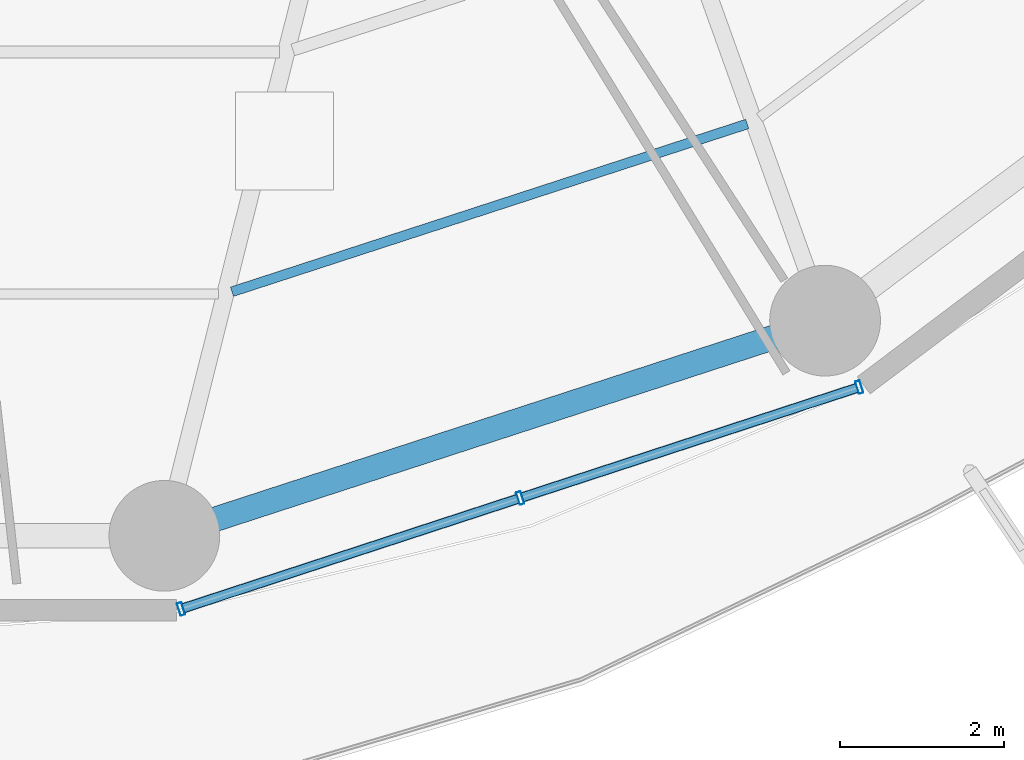
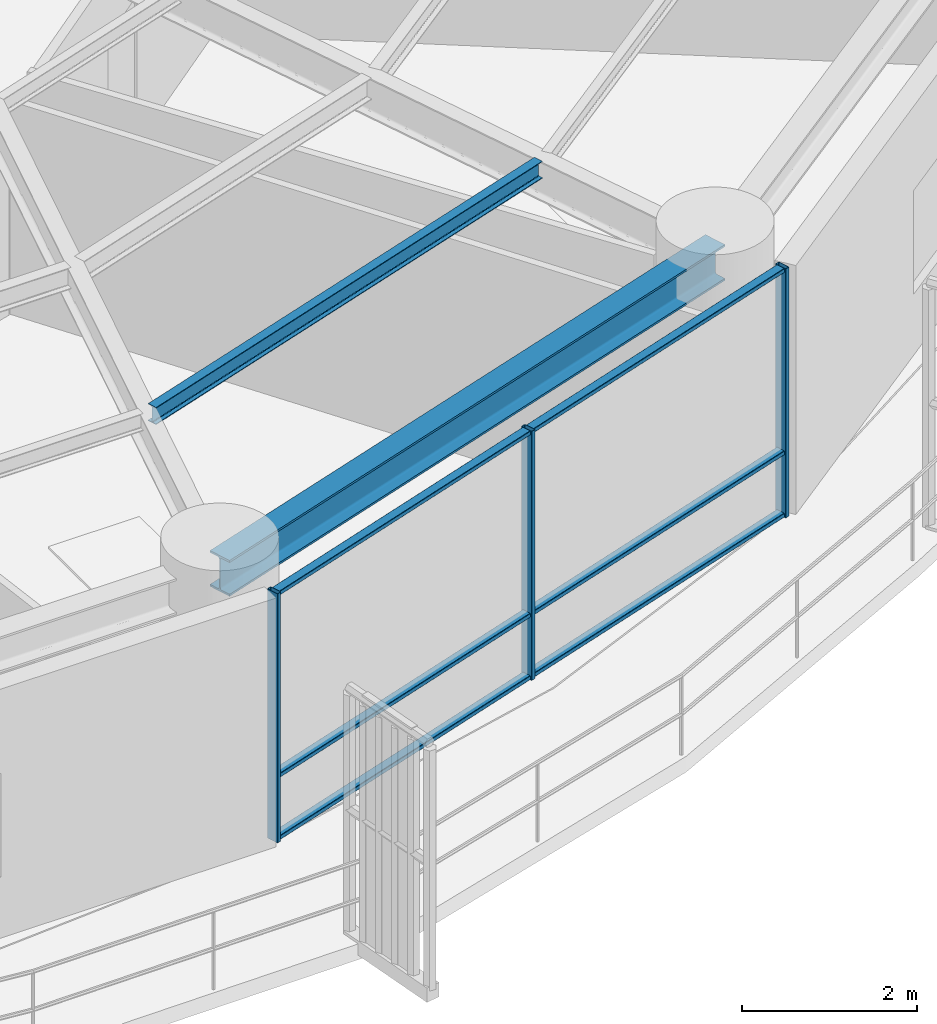
# One storey, part 8 of 34: 9 members, 2 beams, 1 element without a shape of its own.
"""IFC4 building model written with IfcOpenShell, lengths in metres."""

import ifcopenshell
import ifcopenshell.guid

model = None  # the IFC model being written
_history = None  # IfcOwnerHistory: only IFC2X3 demands one
_inside = {}  # id of a spatial element -> (the spatial element, [elements in it])
_under = {}  # id of a project, library or spatial element -> (it, [spatial elements below it])
_declared = {}  # id of a project -> (the project, [libraries it declares])
_typed = {}  # id of a type object -> (the type object, [elements of that type])
_made_of = {}  # id of a material, layer set ... -> (it, [elements and type objects made of it])


def new_model(schema):
    """Start an empty IFC model of exactly this schema.

    Asked for "IFC4X3", IfcOpenShell would pick the latest addendum, in which some entities
    have other attributes; the version numbers below select the first issue.
    IFC2X3 requires an IfcOwnerHistory on every rooted entity: one is made here for all.
    """
    global model, _history
    if schema == "IFC4X3":
        model = ifcopenshell.file(schema_version=(4, 3, 0, 0))
    else:
        model = ifcopenshell.file(schema=schema)
    _inside.clear()
    _under.clear()
    _declared.clear()
    _typed.clear()
    _made_of.clear()
    _history = None
    if model.schema == "IFC2X3":
        org = make("IfcOrganization", Name="unknown")
        user = make(
            "IfcPersonAndOrganization",
            ThePerson=make("IfcPerson", FamilyName="unknown"),
            TheOrganization=org,
        )
        app = make(
            "IfcApplication",
            ApplicationDeveloper=org,
            Version="unknown",
            ApplicationFullName="unknown",
            ApplicationIdentifier="unknown",
        )
        _history = make(
            "IfcOwnerHistory",
            OwningUser=user,
            OwningApplication=app,
            ChangeAction="ADDED",
            CreationDate=0,
        )
    return model


def make(cls, **values):
    """One entity of the class cls with the attributes given. An attribute that is None is left unset."""
    return model.create_entity(
        cls, **{name: value for name, value in values.items() if value is not None}
    )


def rooted(cls, **values):
    """An entity with a GlobalId (a new one), such as an element, a storey or a relation."""
    return make(cls, GlobalId=ifcopenshell.guid.new(), OwnerHistory=_history, **values)


def si_unit(unit_type, name, prefix=None):
    """IfcSIUnit, for example si_unit("LENGTHUNIT", "METRE", prefix="MILLI")."""
    return make("IfcSIUnit", UnitType=unit_type, Prefix=prefix, Name=name)


def assignment(units):
    """IfcUnitAssignment: the units of a project."""
    return None if units is None else make("IfcUnitAssignment", Units=units)


def point(xyz):
    """IfcCartesianPoint."""
    return None if xyz is None else make("IfcCartesianPoint", Coordinates=xyz)


def direction(xyz):
    """IfcDirection."""
    return None if xyz is None else make("IfcDirection", DirectionRatios=xyz)


def frame(location, z_axis=None, x_axis=None):
    """IfcAxis2Placement3D, a coordinate frame: its origin and axes. An axis left out is left unset."""
    return make(
        "IfcAxis2Placement3D",
        Location=point(location),
        Axis=direction(z_axis),
        RefDirection=direction(x_axis),
    )


def frame_2d(location, x_axis=None):
    """IfcAxis2Placement2D, a coordinate frame in the plane: its origin and x axis."""
    return make(
        "IfcAxis2Placement2D", Location=point(location), RefDirection=direction(x_axis)
    )


def origin():
    """The frame at (0, 0, 0) with its axes left unset."""
    return frame((0.0, 0.0, 0.0))


def origin_2d():
    """The frame at (0, 0) in the plane with its x axis left unset."""
    return frame_2d((0.0, 0.0))


def place(relative_to, where):
    """IfcLocalPlacement: puts the frame where relative to a parent placement (None: the world)."""
    return make(
        "IfcLocalPlacement", PlacementRelTo=relative_to, RelativePlacement=where
    )


def context(
    kind, dimensions, precision=None, world=None, true_north=None, identifier=None
):
    """IfcGeometricRepresentationContext, for example the 3D "Model" context."""
    return make(
        "IfcGeometricRepresentationContext",
        ContextIdentifier=identifier,
        ContextType=kind,
        CoordinateSpaceDimension=dimensions,
        Precision=precision,
        WorldCoordinateSystem=world,
        TrueNorth=true_north,
    )


def subcontext(parent, identifier, kind, view, scale=None):
    """IfcGeometricRepresentationSubContext, for example "Body" below "Model"."""
    return make(
        "IfcGeometricRepresentationSubContext",
        ContextIdentifier=identifier,
        ContextType=kind,
        ParentContext=parent,
        TargetScale=scale,
        TargetView=view,
    )


def project(units=None, contexts=None):
    """IfcProject with its units and contexts."""
    return rooted(
        "IfcProject",
        Name="project",
        RepresentationContexts=contexts,
        UnitsInContext=assignment(units),
    )


def spatial(cls, under=None, at=None, **own):
    """A site, building, storey or space (cls), placed at a placement, below another one or the project."""
    s = rooted(cls, ObjectPlacement=at, **own)
    if under is not None:
        _under.setdefault(under.id(), (under, []))[1].append(s)
    return s


def profile(cls, at=None, kind="AREA", **sizes):
    """A parametric profile (cls). Its sizes go by their IFC names, for example OverallWidth=200.0."""
    return make(cls, ProfileType=kind, Position=at, **sizes)


def hollow_rectangle(**sizes):
    """IfcRectangleHollowProfileDef."""
    return profile("IfcRectangleHollowProfileDef", **sizes)


def i_section(**sizes):
    """IfcIShapeProfileDef."""
    return profile("IfcIShapeProfileDef", **sizes)


def extrude(swept, where, along, depth):
    """IfcExtrudedAreaSolid: the profile swept, set in the frame where, extruded along a direction by depth."""
    return make(
        "IfcExtrudedAreaSolid",
        SweptArea=swept,
        Position=where,
        ExtrudedDirection=direction(along),
        Depth=depth,
    )


def shape(context_of_items, identifier, shape_type, items):
    """IfcShapeRepresentation: the items that make up one representation, for example the "Body"."""
    return make(
        "IfcShapeRepresentation",
        ContextOfItems=context_of_items,
        RepresentationIdentifier=identifier,
        RepresentationType=shape_type,
        Items=items,
    )


def material(Name=None, Category=None):
    """IfcMaterial."""
    return make("IfcMaterial", Name=Name, Category=Category)


def layer(
    of_material, thickness, ventilated=None, Name=None, Category=None, Priority=None
):
    """IfcMaterialLayer: one layer of a wall or slab, of a material (None: an air gap)."""
    return make(
        "IfcMaterialLayer",
        Material=of_material,
        LayerThickness=thickness,
        IsVentilated=ventilated,
        Name=Name,
        Category=Category,
        Priority=Priority,
    )


def layer_set(layers, Name=None):
    """IfcMaterialLayerSet."""
    return make("IfcMaterialLayerSet", MaterialLayers=layers, LayerSetName=Name)


def material_profile(
    of_material, cross_section, Name=None, Category=None, Priority=None
):
    """IfcMaterialProfile: a cross section and its material."""
    return make(
        "IfcMaterialProfile",
        Name=Name,
        Material=of_material,
        Profile=cross_section,
        Priority=Priority,
        Category=Category,
    )


def profile_set(profiles, Name=None, composite=None):
    """IfcMaterialProfileSet."""
    return make(
        "IfcMaterialProfileSet",
        Name=Name,
        MaterialProfiles=profiles,
        CompositeProfile=composite,
    )


def made_of(thing, what):
    """Note that an element or type object is made of a material, layer set ...; save() writes the relation."""
    if what is not None:
        _made_of.setdefault(what.id(), (what, []))[1].append(thing)
    return thing


def type_object(cls, material=None, **own):
    """A type object (cls), such as IfcWallType, which elements share."""
    return made_of(rooted(cls, **own), material)


def element(
    cls,
    number,
    at=None,
    inside=None,
    cuts=None,
    type_object=None,
    material=None,
    context=None,
    identifier="Body",
    shape_type=None,
    held_by="IfcProductDefinitionShape",
    body=None,
    shapes=None,
    **own,
):
    """One element of the class cls, such as IfcWall. Its Tag is "e" and its number.

    at: its placement. inside: the storey or other place that contains it. cuts: it is an
    opening in that element (IfcRelVoidsElement). A single representation is given by context,
    identifier, shape_type and body (its items); several are given by shapes. held_by: the class
    of the entity that holds the representations. save() writes the other relations.
    """
    e = rooted(cls, Tag="e%d" % number, ObjectPlacement=at, **own)
    if body is not None:
        shapes = [shape(context, identifier, shape_type, body)]
    if shapes is not None:
        e.Representation = make(held_by, Representations=shapes)
    if inside is not None:
        _inside.setdefault(inside.id(), (inside, []))[1].append(e)
    if cuts is not None:
        rooted(
            "IfcRelVoidsElement", RelatingBuildingElement=cuts, RelatedOpeningElement=e
        )
    if type_object is not None:
        _typed.setdefault(type_object.id(), (type_object, []))[1].append(e)
    return made_of(e, material)


def aggregate(whole, parts):
    """IfcRelAggregates: a whole, such as a stair, and the parts it consists of."""
    return rooted("IfcRelAggregates", RelatingObject=whole, RelatedObjects=parts)


def save(model, path):
    """Write the relations noted so far, then the file.

    IfcRelAggregates (storeys below a building ...), IfcRelContainedInSpatialStructure (elements
    in a storey), IfcRelDefinesByType, IfcRelAssociatesMaterial and IfcRelDeclares: one each for
    every whole, place, type object, material and project.
    """
    for whole, parts in _under.values():
        aggregate(whole, parts)
    for where, things in _inside.values():
        rooted(
            "IfcRelContainedInSpatialStructure",
            RelatedElements=things,
            RelatingStructure=where,
        )
    for kind, things in _typed.values():
        rooted("IfcRelDefinesByType", RelatedObjects=things, RelatingType=kind)
    for what, things in _made_of.values():
        rooted("IfcRelAssociatesMaterial", RelatedObjects=things, RelatingMaterial=what)
    for by, libraries in _declared.values():
        rooted("IfcRelDeclares", RelatingContext=by, RelatedDefinitions=libraries)
    model.write(path)


model = new_model("IFC4")

# Units and contexts
model_context = context("Model", 3, precision=1e-05, world=origin(), true_north=direction((0.0, 1.0)))
body_context = subcontext(model_context, "Body", "Model", "MODEL_VIEW")
ifc_project = project(units=[si_unit("LENGTHUNIT", "METRE"), si_unit("AREAUNIT", "SQUARE_METRE"), si_unit("VOLUMEUNIT", "CUBIC_METRE"), si_unit("PLANEANGLEUNIT", "RADIAN"), si_unit("MASSUNIT", "GRAM", prefix="KILO")], contexts=[model_context])

# Site, building, storey
site_placement = place(None, origin())
site = spatial("IfcSite", under=ifc_project, at=site_placement, CompositionType="ELEMENT")
building_placement = place(site_placement, origin())
building = spatial("IfcBuilding", under=site, at=building_placement, Name="Kelanora Arch Commons", CompositionType="ELEMENT")
storey_placement = place(building_placement, frame((0.0, 0.0, 76.35009765625)))
storey = spatial("IfcBuildingStorey", under=building, at=storey_placement, Name="L19", CompositionType="ELEMENT", Elevation=76.35009765625)

# Beams
ifc_material_1 = material(Name="Steel S355", Category="steel")
ifc_material_profile_1 = material_profile(ifc_material_1, i_section(OverallWidth=0.1201171875, OverallDepth=0.239990234375, WebThickness=0.006103515625, FlangeThickness=0.009765625, FilletRadius=0.014892578125, at=origin_2d()), Name="IPE240")
ifc_profile_set_1 = profile_set([ifc_material_profile_1], Name="Steel S355")
beam_type_1 = type_object("IfcBeamType", Name="BM-JST-02", PredefinedType="JOIST", material=ifc_profile_set_1)
beam_1_placement = place(storey_placement, frame((79.109375, 39.230712890625, 3.369873046875), z_axis=(0.950862829272, 0.309612467301, 0.0), x_axis=(-0.309612467301, 0.950862829272, 0.0)))
element("IfcBeam", 1, at=beam_1_placement, inside=storey, type_object=beam_type_1, Name="Secondary Chord Joist BJC-28 L19", PredefinedType="JOIST", context=body_context, shape_type="SweptSolid", body=[
    extrude(i_section(OverallWidth=0.1201171875, OverallDepth=0.239990234375, WebThickness=0.006103515625, FlangeThickness=0.009765625, FilletRadius=0.014892578125, at=origin_2d()), origin(), (0.0, 0.0, 1.0), 6.6064453125),
])
ifc_material_profile_2 = material_profile(ifc_material_1, i_section(OverallWidth=0.300048828125, OverallDepth=0.5, WebThickness=0.014404296875, FlangeThickness=0.028076171875, FilletRadius=0.027099609375, at=origin_2d()), Name="HEB500")
ifc_profile_set_2 = profile_set([ifc_material_profile_2], Name="Steel S355")
beam_type_2 = type_object("IfcBeamType", Name="BM-SPN-Z2", PredefinedType="SPANDREL", material=ifc_profile_set_2)
beam_2_placement = place(storey_placement, frame((78.28564453125, 36.25537109375, 3.239990234375), z_axis=(0.950856631974, 0.309631499418, 0.0), x_axis=(-0.309631499418, 0.950856631974, 0.0)))
element("IfcBeam", 2, at=beam_2_placement, inside=storey, type_object=beam_type_2, Name="Perimeter Spandrel Beam BS-28 L19", PredefinedType="SPANDREL", context=body_context, shape_type="SweptSolid", body=[
    extrude(i_section(OverallWidth=0.300048828125, OverallDepth=0.5, WebThickness=0.014404296875, FlangeThickness=0.028076171875, FilletRadius=0.027099609375, at=origin_2d()), origin(), (0.0, 0.0, 1.0), 8.470703125),
])

# Curtain wall, members
ifc_material_2 = material(Name="Terracotta ceramic-fritted low-E glass and aluminium", Category="masonry")
ifc_layer = layer(ifc_material_2, 0.159912109375)
ifc_layer_set = layer_set([ifc_layer], Name="Terracotta ceramic-fritted low-E glass and aluminium")
curtain_wall_type = type_object("IfcCurtainWallType", Name="CW-SYS-01", PredefinedType="NOTDEFINED", material=ifc_layer_set)
curtain_wall_placement = place(storey_placement, origin())
curtain_wall = element("IfcCurtainWall", 3, at=curtain_wall_placement, inside=storey, type_object=curtain_wall_type, Name="Unitised Curtain Wall L19-B14", PredefinedType="NOTDEFINED")
ifc_material_3 = material(Name="Powder-coated aluminium terracotta", Category="masonry")
ifc_material_profile_3 = material_profile(ifc_material_3, hollow_rectangle(XDim=0.159912109375, YDim=0.06005859375, WallThickness=0.0048828125, InnerFilletRadius=0.0048828125, OuterFilletRadius=0.010009765625, at=origin_2d()), Name="CWM160x60")
ifc_profile_set_3 = profile_set([ifc_material_profile_3], Name="Powder-coated aluminium terracotta")
member_type_1 = type_object("IfcMemberType", Name="CWM-STD", PredefinedType="MULLION", material=ifc_profile_set_3)
member_1_placement = place(storey_placement, frame((78.48828125, 35.363525390625, 0.0), z_axis=(0.0, 0.0, 1.0), x_axis=(-0.31080470294, 0.950473795867, 0.0)))
member_1 = element("IfcMember", 4, at=member_1_placement, type_object=member_type_1, Name="CW-01 mullion 1", PredefinedType="MULLION", context=body_context, shape_type="SweptSolid", body=[
    extrude(hollow_rectangle(XDim=0.159912109375, YDim=0.06005859375, WallThickness=0.0048828125, InnerFilletRadius=0.0048828125, OuterFilletRadius=0.010009765625, at=origin_2d()), origin(), (0.0, 0.0, 1.0), 3.474853515625),
])
member_2_placement = place(storey_placement, frame((82.622802734375, 36.71533203125, 0.0), z_axis=(0.0, 0.0, 1.0), x_axis=(-0.31080470294, 0.950473795867, 0.0)))
member_2 = element("IfcMember", 5, at=member_2_placement, type_object=member_type_1, Name="CW-01 mullion 2", PredefinedType="MULLION", context=body_context, shape_type="SweptSolid", body=[
    extrude(hollow_rectangle(XDim=0.159912109375, YDim=0.06005859375, WallThickness=0.0048828125, InnerFilletRadius=0.0048828125, OuterFilletRadius=0.010009765625, at=origin_2d()), origin(), (0.0, 0.0, 1.0), 3.474853515625),
])
member_3_placement = place(storey_placement, frame((86.757080078125, 38.0673828125, 0.0), z_axis=(0.0, 0.0, 1.0), x_axis=(-0.31080470294, 0.950473795867, 0.0)))
member_3 = element("IfcMember", 6, at=member_3_placement, type_object=member_type_1, Name="CW-01 mullion 3", PredefinedType="MULLION", context=body_context, shape_type="SweptSolid", body=[
    extrude(hollow_rectangle(XDim=0.159912109375, YDim=0.06005859375, WallThickness=0.0048828125, InnerFilletRadius=0.0048828125, OuterFilletRadius=0.010009765625, at=origin_2d()), origin(), (0.0, 0.0, 1.0), 3.474853515625),
])
ifc_material_profile_4 = material_profile(ifc_material_3, hollow_rectangle(XDim=0.1201171875, YDim=0.06005859375, WallThickness=0.0048828125, InnerFilletRadius=0.0048828125, OuterFilletRadius=0.010009765625, at=origin_2d()), Name="CWT120x60")
ifc_profile_set_4 = profile_set([ifc_material_profile_4], Name="Powder-coated aluminium terracotta")
member_type_2 = type_object("IfcMemberType", Name="CWT-STD", PredefinedType="USERDEFINED", material=ifc_profile_set_4)
member_4_placement = place(storey_placement, frame((78.516845703125, 35.372802734375, 0.02978515625), z_axis=(0.950477544745, 0.31079323824, 0.0), x_axis=(-0.31079323824, 0.950477544745, 0.0)))
member_4 = element("IfcMember", 7, at=member_4_placement, type_object=member_type_2, Name="CW-01 transom 1.1", ObjectType="TRANSOM", PredefinedType="USERDEFINED", context=body_context, shape_type="SweptSolid", body=[
    extrude(hollow_rectangle(XDim=0.1201171875, YDim=0.06005859375, WallThickness=0.0048828125, InnerFilletRadius=0.0048828125, OuterFilletRadius=0.010009765625, at=origin_2d()), origin(), (0.0, 0.0, 1.0), 4.289794921875),
])
member_5_placement = place(storey_placement, frame((78.516845703125, 35.372802734375, 0.89990234375), z_axis=(0.950477544745, 0.31079323824, 0.0), x_axis=(-0.31079323824, 0.950477544745, 0.0)))
member_5 = element("IfcMember", 8, at=member_5_placement, type_object=member_type_2, Name="CW-01 transom 1.2", ObjectType="TRANSOM", PredefinedType="USERDEFINED", context=body_context, shape_type="SweptSolid", body=[
    extrude(hollow_rectangle(XDim=0.1201171875, YDim=0.06005859375, WallThickness=0.0048828125, InnerFilletRadius=0.0048828125, OuterFilletRadius=0.010009765625, at=origin_2d()), origin(), (0.0, 0.0, 1.0), 4.289794921875),
])
member_6_placement = place(storey_placement, frame((78.516845703125, 35.372802734375, 3.44482421875), z_axis=(0.950477544745, 0.31079323824, 0.0), x_axis=(-0.31079323824, 0.950477544745, 0.0)))
member_6 = element("IfcMember", 9, at=member_6_placement, type_object=member_type_2, Name="CW-01 transom 1.3", ObjectType="TRANSOM", PredefinedType="USERDEFINED", context=body_context, shape_type="SweptSolid", body=[
    extrude(hollow_rectangle(XDim=0.1201171875, YDim=0.06005859375, WallThickness=0.0048828125, InnerFilletRadius=0.0048828125, OuterFilletRadius=0.010009765625, at=origin_2d()), origin(), (0.0, 0.0, 1.0), 4.289794921875),
])
member_7_placement = place(storey_placement, frame((82.651123046875, 36.724609375, 0.02978515625), z_axis=(0.950466230394, 0.310827838008, 0.0), x_axis=(-0.310827838008, 0.950466230394, 0.0)))
member_7 = element("IfcMember", 10, at=member_7_placement, type_object=member_type_2, Name="CW-01 transom 2.1", ObjectType="TRANSOM", PredefinedType="USERDEFINED", context=body_context, shape_type="SweptSolid", body=[
    extrude(hollow_rectangle(XDim=0.1201171875, YDim=0.06005859375, WallThickness=0.0048828125, InnerFilletRadius=0.0048828125, OuterFilletRadius=0.010009765625, at=origin_2d()), origin(), (0.0, 0.0, 1.0), 4.2900390625),
])
member_8_placement = place(storey_placement, frame((82.651123046875, 36.724609375, 0.89990234375), z_axis=(0.950466230394, 0.310827838008, 0.0), x_axis=(-0.310827838008, 0.950466230394, 0.0)))
member_8 = element("IfcMember", 11, at=member_8_placement, type_object=member_type_2, Name="CW-01 transom 2.2", ObjectType="TRANSOM", PredefinedType="USERDEFINED", context=body_context, shape_type="SweptSolid", body=[
    extrude(hollow_rectangle(XDim=0.1201171875, YDim=0.06005859375, WallThickness=0.0048828125, InnerFilletRadius=0.0048828125, OuterFilletRadius=0.010009765625, at=origin_2d()), origin(), (0.0, 0.0, 1.0), 4.2900390625),
])
member_9_placement = place(storey_placement, frame((82.651123046875, 36.724609375, 3.44482421875), z_axis=(0.950466230394, 0.310827838008, 0.0), x_axis=(-0.310827838008, 0.950466230394, 0.0)))
member_9 = element("IfcMember", 12, at=member_9_placement, type_object=member_type_2, Name="CW-01 transom 2.3", ObjectType="TRANSOM", PredefinedType="USERDEFINED", context=body_context, shape_type="SweptSolid", body=[
    extrude(hollow_rectangle(XDim=0.1201171875, YDim=0.06005859375, WallThickness=0.0048828125, InnerFilletRadius=0.0048828125, OuterFilletRadius=0.010009765625, at=origin_2d()), origin(), (0.0, 0.0, 1.0), 4.2900390625),
])
aggregate(curtain_wall, [member_1, member_2, member_3, member_4, member_5, member_6, member_7, member_8, member_9])

save(model, "model.ifc")
